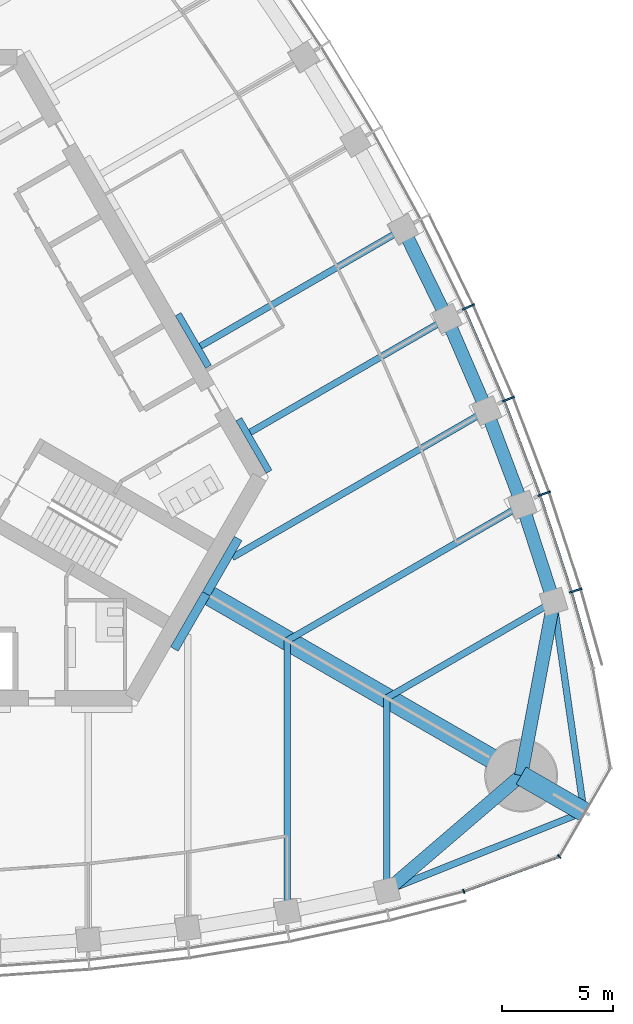
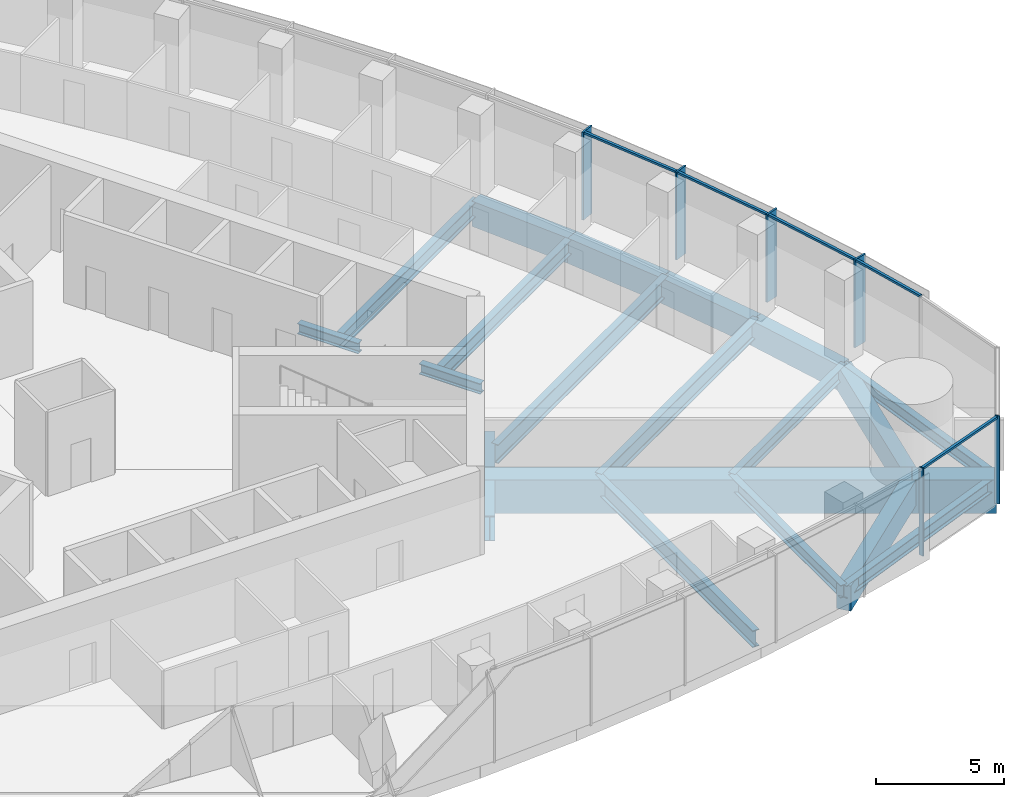
# One storey, part 4 of 20: 21 beams, 11 members, 2 elements without a shape of their own.
"""IFC4 building model written with IfcOpenShell, lengths in metres."""

from ifc_helpers import new_model, si_unit, direction, frame, origin, origin_2d, place, context, subcontext, project, spatial, rectangle, i_section, extrude, material, material_profile, profile_set, type_object, element, aggregate, save


model = new_model("IFC4")

# Units and contexts
model_context = context("Model", 3, precision=1e-05, world=origin(), true_north=direction((0.0, 1.0)))
body_context = subcontext(model_context, "Body", "Model", "MODEL_VIEW")
ifc_project = project(units=[si_unit("LENGTHUNIT", "METRE"), si_unit("AREAUNIT", "SQUARE_METRE"), si_unit("VOLUMEUNIT", "CUBIC_METRE"), si_unit("PLANEANGLEUNIT", "RADIAN"), si_unit("MASSUNIT", "GRAM", prefix="KILO")], contexts=[model_context])

# Site, building, storey
site_placement = place(None, origin())
site = spatial("IfcSite", under=ifc_project, at=site_placement, CompositionType="ELEMENT")
building_placement = place(site_placement, origin())
building = spatial("IfcBuilding", under=site, at=building_placement, Name="Trefoil Bronze Tower", CompositionType="ELEMENT")
storey_placement = place(building_placement, frame((0.0, 0.0, 231.699951171875)))
storey = spatial("IfcBuildingStorey", under=building, at=storey_placement, Name="L53", CompositionType="ELEMENT", Elevation=231.699951171875)

# Curtain wall, members
ifc_material_1 = material(Name="Tinted solar-control glass", Category="glass")
curtain_wall_type_1 = type_object("IfcCurtainWallType", Name="Bronze office curtain wall", PredefinedType="USERDEFINED", material=ifc_material_1)
curtain_wall_1_placement = place(storey_placement, origin())
curtain_wall_1 = element("IfcCurtainWall", 1, at=curtain_wall_1_placement, inside=storey, type_object=curtain_wall_type_1, Name="CW-A L53 F2", ObjectType="CURTAIN WALL", PredefinedType="USERDEFINED")
ifc_material_2 = material(Name="Bronze-finish aluminium", Category="aluminium")
ifc_material_profile_1 = material_profile(ifc_material_2, rectangle(XDim=0.60009765625, YDim=0.080078125, at=origin_2d()), Name="CW-A mullion")
ifc_profile_set_1 = profile_set([ifc_material_profile_1], Name="Bronze-finish aluminium")
member_type_1 = type_object("IfcMemberType", Name="Bronze office curtain wall mullion", PredefinedType="MULLION", material=ifc_profile_set_1)
member_1_placement = place(storey_placement, frame((31.05029296875, -8.132568359375, 0.0), z_axis=(0.0, 0.0, 1.0), x_axis=(-0.95694224323, -0.290278389002, 0.0)))
member_1 = element("IfcMember", 2, at=member_1_placement, type_object=member_type_1, Name="CW-A L53 F2 mullion 2", PredefinedType="MULLION", context=body_context, shape_type="SweptSolid", body=[
    extrude(rectangle(XDim=0.60009765625, YDim=0.080078125, at=origin_2d()), origin(), (0.0, 0.0, 1.0), 4.179931640625),
])
member_2_placement = place(storey_placement, frame((29.619873046875, -3.747314453125, 0.0), z_axis=(0.0, 0.0, 1.0), x_axis=(-0.943180077746, -0.332282020191, 0.0)))
member_2 = element("IfcMember", 3, at=member_2_placement, type_object=member_type_1, Name="CW-A L53 F2 mullion 3", PredefinedType="MULLION", context=body_context, shape_type="SweptSolid", body=[
    extrude(rectangle(XDim=0.60009765625, YDim=0.080078125, at=origin_2d()), origin(), (0.0, 0.0, 1.0), 4.179931640625),
])
member_3_placement = place(storey_placement, frame((27.999755859375, 0.529541015625, 0.0), z_axis=(0.0, 0.0, 1.0), x_axis=(-0.926689348282, -0.375828221106, 0.0)))
member_3 = element("IfcMember", 4, at=member_3_placement, type_object=member_type_1, Name="CW-A L53 F2 mullion 4", PredefinedType="MULLION", context=body_context, shape_type="SweptSolid", body=[
    extrude(rectangle(XDim=0.60009765625, YDim=0.080078125, at=origin_2d()), origin(), (0.0, 0.0, 1.0), 4.179931640625),
])
member_4_placement = place(storey_placement, frame((26.19482421875, 4.699462890625, 0.0), z_axis=(0.0, 0.0, 1.0), x_axis=(-0.908315380354, -0.418285990457, 0.0)))
member_4 = element("IfcMember", 5, at=member_4_placement, type_object=member_type_1, Name="CW-A L53 F2 mullion 5", PredefinedType="MULLION", context=body_context, shape_type="SweptSolid", body=[
    extrude(rectangle(XDim=0.60009765625, YDim=0.080078125, at=origin_2d()), origin(), (0.0, 0.0, 1.0), 4.179931640625),
])
ifc_material_3 = material(Name="Bronze-finish aluminium", Category="aluminium")
ifc_material_profile_2 = material_profile(ifc_material_3, rectangle(XDim=0.1201171875, YDim=0.10009765625, at=origin_2d()), Name="CW-A transom")
ifc_profile_set_2 = profile_set([ifc_material_profile_2], Name="Bronze-finish aluminium")
member_type_2 = type_object("IfcMemberType", Name="Bronze office curtain wall transom", PredefinedType="USERDEFINED", material=ifc_profile_set_2)
member_5_placement = place(storey_placement, frame((31.81201171875, -11.585205078125, 4.130126953125), z_axis=(-0.270284880437, 0.962780392097, 0.0), x_axis=(-0.962780392097, -0.270284880437, 0.0)))
member_5 = element("IfcMember", 6, at=member_5_placement, type_object=member_type_2, Name="CW-A L53 F2 transom 1", ObjectType="TRANSOM", PredefinedType="USERDEFINED", context=body_context, shape_type="SweptSolid", body=[
    extrude(rectangle(XDim=0.1201171875, YDim=0.10009765625, at=origin_2d()), origin(), (0.0, 0.0, 1.0), 3.48388671875),
])
member_6_placement = place(storey_placement, frame((30.845947265625, -8.150634765625, 4.130126953125), z_axis=(-0.310127806788, 0.950694874004, 0.0), x_axis=(-0.950694874004, -0.310127806788, 0.0)))
member_6 = element("IfcMember", 7, at=member_6_placement, type_object=member_type_2, Name="CW-A L53 F2 transom 2", ObjectType="TRANSOM", PredefinedType="USERDEFINED", context=body_context, shape_type="SweptSolid", body=[
    extrude(rectangle(XDim=0.1201171875, YDim=0.10009765625, at=origin_2d()), origin(), (0.0, 0.0, 1.0), 4.51953125),
])
member_7_placement = place(storey_placement, frame((29.416259765625, -3.774169921875, 4.130126953125), z_axis=(-0.354263170896, 0.935145767112, 0.0), x_axis=(-0.935145767112, -0.354263170896, 0.0)))
member_7 = element("IfcMember", 8, at=member_7_placement, type_object=member_type_2, Name="CW-A L53 F2 transom 3", ObjectType="TRANSOM", PredefinedType="USERDEFINED", context=body_context, shape_type="SweptSolid", body=[
    extrude(rectangle(XDim=0.1201171875, YDim=0.10009765625, at=origin_2d()), origin(), (0.0, 0.0, 1.0), 4.4794921875),
])
member_8_placement = place(storey_placement, frame((27.797607421875, 0.4931640625, 4.130126953125), z_axis=(-0.397220936772, 0.917723012346, 0.0), x_axis=(-0.917723012346, -0.397220936772, 0.0)))
member_8 = element("IfcMember", 9, at=member_8_placement, type_object=member_type_2, Name="CW-A L53 F2 transom 4", ObjectType="TRANSOM", PredefinedType="USERDEFINED", context=body_context, shape_type="SweptSolid", body=[
    extrude(rectangle(XDim=0.1201171875, YDim=0.10009765625, at=origin_2d()), origin(), (0.0, 0.0, 1.0), 4.449951171875),
])
aggregate(curtain_wall_1, [member_1, member_2, member_3, member_4, member_5, member_6, member_7, member_8])

ifc_material_4 = material(Name="Tinted solar-control glass", Category="glass")
curtain_wall_type_2 = type_object("IfcCurtainWallType", Name="Bronze rounded corner curtain wall", PredefinedType="USERDEFINED", material=ifc_material_4)
curtain_wall_2_placement = place(storey_placement, origin())
curtain_wall_2 = element("IfcCurtainWall", 10, at=curtain_wall_2_placement, inside=storey, type_object=curtain_wall_type_2, Name="CW-B L53 K1", ObjectType="CURTAIN WALL", PredefinedType="USERDEFINED")
ifc_material_5 = material(Name="Bronze-finish aluminium", Category="aluminium")
ifc_material_profile_3 = material_profile(ifc_material_5, rectangle(XDim=0.199951171875, YDim=0.06005859375, at=origin_2d()), Name="CW-B mullion")
ifc_profile_set_3 = profile_set([ifc_material_profile_3], Name="Bronze-finish aluminium")
member_type_3 = type_object("IfcMemberType", Name="Bronze rounded corner curtain wall mullion", PredefinedType="MULLION", material=ifc_profile_set_3)
member_9_placement = place(storey_placement, frame((25.9873046875, -21.74462890625, 0.0), z_axis=(0.0, 0.0, 1.0), x_axis=(-0.342020143326, 0.939692620786, 0.0)))
member_9 = element("IfcMember", 11, at=member_9_placement, type_object=member_type_3, Name="CW-B L53 K1 mullion 1", PredefinedType="MULLION", context=body_context, shape_type="SweptSolid", body=[
    extrude(rectangle(XDim=0.199951171875, YDim=0.06005859375, at=origin_2d()), origin(), (0.0, 0.0, 1.0), 4.179931640625),
])
member_10_placement = place(storey_placement, frame((30.302490234375, -20.16748046875, 0.0), z_axis=(0.0, 0.0, 1.0), x_axis=(-0.642787609687, 0.766044443119, 0.0)))
member_10 = element("IfcMember", 12, at=member_10_placement, type_object=member_type_3, Name="CW-B L53 K1 mullion 2", PredefinedType="MULLION", context=body_context, shape_type="SweptSolid", body=[
    extrude(rectangle(XDim=0.199951171875, YDim=0.06005859375, at=origin_2d()), origin(), (0.0, 0.0, 1.0), 4.179931640625),
])
ifc_material_6 = material(Name="Bronze-finish aluminium", Category="aluminium")
ifc_material_profile_4 = material_profile(ifc_material_6, rectangle(XDim=0.1201171875, YDim=0.10009765625, at=origin_2d()), Name="CW-B transom")
ifc_profile_set_4 = profile_set([ifc_material_profile_4], Name="Bronze-finish aluminium")
member_type_4 = type_object("IfcMemberType", Name="Bronze rounded corner curtain wall transom", PredefinedType="USERDEFINED", material=ifc_profile_set_4)
member_11_placement = place(storey_placement, frame((26.015380859375, -21.734375, 4.130126953125), z_axis=(0.939680910753, 0.342052314664, 0.0), x_axis=(-0.342052314664, 0.939680910753, 0.0)))
member_11 = element("IfcMember", 13, at=member_11_placement, type_object=member_type_4, Name="CW-B L53 K1 transom 1", ObjectType="TRANSOM", PredefinedType="USERDEFINED", context=body_context, shape_type="SweptSolid", body=[
    extrude(rectangle(XDim=0.1201171875, YDim=0.10009765625, at=origin_2d()), origin(), (0.0, 0.0, 1.0), 4.500244140625),
])
aggregate(curtain_wall_2, [member_9, member_10, member_11])

# Beams
ifc_material_7 = material(Name="Steel C355", Category="steel")
ifc_material_profile_5 = material_profile(ifc_material_7, i_section(OverallWidth=0.300048828125, OverallDepth=0.5, WebThickness=0.014404296875, FlangeThickness=0.028076171875, FilletRadius=0.027099609375, at=origin_2d()), Name="HEB 500")
ifc_profile_set_5 = profile_set([ifc_material_profile_5], Name="Steel C355")
beam_type_1 = type_object("IfcBeamType", Name="Core seat beam HEB 500", PredefinedType="BEAM", material=ifc_profile_set_5)
for number, where, z_axis, x_axis, name in (
    (14, (17.17626953125, -2.75, -0.449951171875), (-0.500035825175, 0.866004719122, 0.0), (-0.866004719122, -0.500035825175, 0.0), "Core seat beam F2/-2 L53"),
    (15, (14.433837890625, 2.0, -0.449951171875), (-0.500035825175, 0.866004719122, 0.0), (-0.866004719122, -0.500035825175, 0.0), "Core seat beam F2/-1 L53"),
):
    element("IfcBeam", number, at=place(storey_placement, frame(where, z_axis=z_axis, x_axis=x_axis)), inside=storey, type_object=beam_type_1, Name=name, PredefinedType="BEAM", context=body_context, shape_type="SweptSolid", body=[
        extrude(i_section(OverallWidth=0.300048828125, OverallDepth=0.5, WebThickness=0.014404296875, FlangeThickness=0.028076171875, FilletRadius=0.027099609375, at=origin_2d()), origin(), (0.0, 0.0, 1.0), 2.742431640625),
    ])
ifc_material_8 = material(Name="Steel C355", Category="steel")
ifc_material_profile_6 = material_profile(ifc_material_8, i_section(OverallWidth=0.39990234375, OverallDepth=1.199951171875, WebThickness=0.02001953125, FlangeThickness=0.0400390625, FilletRadius=0.010009765625, at=origin_2d()), Name="WPG 1200")
ifc_profile_set_6 = profile_set([ifc_material_profile_6], Name="Steel C355")
beam_type_2 = type_object("IfcBeamType", Name="Core seat beam WPG 1200", PredefinedType="BEAM", material=ifc_profile_set_6)
for number, where, z_axis, x_axis, name in (
    (16, (12.889404296875, -10.77490234375, -0.800048828125), (0.499995765644, 0.866027848477, 0.0), (-0.866027848477, 0.499995765644, 0.0), "Core seat beam F1/+3 L53"),
    (17, (14.332763671875, -8.27490234375, -0.800048828125), (0.499995765644, 0.866027848477, 0.0), (-0.866027848477, 0.499995765644, 0.0), "Core seat beam F2/-3 L53"),
):
    element("IfcBeam", number, at=place(storey_placement, frame(where, z_axis=z_axis, x_axis=x_axis)), inside=storey, type_object=beam_type_2, Name=name, PredefinedType="BEAM", context=body_context, shape_type="SweptSolid", body=[
        extrude(i_section(OverallWidth=0.39990234375, OverallDepth=1.199951171875, WebThickness=0.02001953125, FlangeThickness=0.0400390625, FilletRadius=0.010009765625, at=origin_2d()), origin(), (0.0, 0.0, 1.0), 2.88671875),
    ])
ifc_material_9 = material(Name="Concrete B80", Category="concrete")
ifc_material_profile_7 = material_profile(ifc_material_9, rectangle(XDim=0.89990234375, YDim=1.60009765625, at=origin_2d()), Name="RC 900x1600")
ifc_profile_set_7 = profile_set([ifc_material_profile_7], Name="Concrete B80")
beam_type_3 = type_object("IfcBeamType", Name="Corner cantilever RC 900x1600", PredefinedType="BEAM", material=ifc_profile_set_7)
beam_1_placement = place(storey_placement, frame((28.578857421875, -16.5, -1.0), z_axis=(0.866016004958, -0.500016278891, 0.0), x_axis=(0.500016278891, 0.866016004958, 0.0)))
element("IfcBeam", 18, at=beam_1_placement, inside=storey, type_object=beam_type_3, Name="Corner cantilever K1 L53", PredefinedType="BEAM", context=body_context, shape_type="SweptSolid", body=[
    extrude(rectangle(XDim=0.89990234375, YDim=1.60009765625, at=origin_2d()), origin(), (0.0, 0.0, 1.0), 3.28466796875),
])
ifc_material_10 = material(Name="Steel C355", Category="steel")
ifc_material_profile_8 = material_profile(ifc_material_10, i_section(OverallWidth=0.300048828125, OverallDepth=0.60009765625, WebThickness=0.015380859375, FlangeThickness=0.030029296875, FilletRadius=0.027099609375, at=origin_2d()), Name="HEB 600")
ifc_profile_set_8 = profile_set([ifc_material_profile_8], Name="Steel C355")
beam_type_4 = type_object("IfcBeamType", Name="Corner edge beam HEB 600", PredefinedType="BEAM", material=ifc_profile_set_8)
for number, where, z_axis, x_axis, name in (
    (19, (22.5, -21.71044921875, -0.5), (0.92852048463, 0.371281173266, 0.0), (-0.371281173266, 0.92852048463, 0.0), "Corner edge beam F1A L53"),
    (20, (30.052001953125, -8.63037109375, -0.5), (0.142694489722, -0.989766781925, 0.0), (0.989766781925, 0.142694489722, 0.0), "Corner edge beam F2B L53"),
):
    element("IfcBeam", number, at=place(storey_placement, frame(where, z_axis=z_axis, x_axis=x_axis)), inside=storey, type_object=beam_type_4, Name=name, PredefinedType="BEAM", context=body_context, shape_type="SweptSolid", body=[
        extrude(i_section(OverallWidth=0.300048828125, OverallDepth=0.60009765625, WebThickness=0.015380859375, FlangeThickness=0.030029296875, FilletRadius=0.027099609375, at=origin_2d()), origin(), (0.0, 0.0, 1.0), 9.6103515625),
    ])
ifc_material_11 = material(Name="Concrete B80", Category="concrete")
ifc_material_profile_9 = material_profile(ifc_material_11, rectangle(XDim=0.89990234375, YDim=1.60009765625, at=origin_2d()), Name="RC 900x1600")
ifc_profile_set_9 = profile_set([ifc_material_profile_9], Name="Concrete B80")
beam_type_5 = type_object("IfcBeamType", Name="Corner girder RC 900x1600", PredefinedType="BEAM", material=ifc_profile_set_9)
beam_2_placement = place(storey_placement, frame((14.159423828125, -8.175048828125, -1.0), z_axis=(0.866028334591, -0.49999492366, 0.0), x_axis=(0.49999492366, 0.866028334591, 0.0)))
element("IfcBeam", 21, at=beam_2_placement, inside=storey, type_object=beam_type_5, Name="Corner girder K1 L53", PredefinedType="BEAM", context=body_context, shape_type="SweptSolid", body=[
    extrude(rectangle(XDim=0.89990234375, YDim=1.60009765625, at=origin_2d()), origin(), (0.0, 0.0, 1.0), 16.650146484375),
])
ifc_material_12 = material(Name="Concrete B80", Category="concrete")
ifc_material_profile_10 = material_profile(ifc_material_12, rectangle(XDim=0.60009765625, YDim=1.199951171875, at=origin_2d()), Name="RC 600x1200")
ifc_profile_set_10 = profile_set([ifc_material_profile_10], Name="Concrete B80")
beam_type_6 = type_object("IfcBeamType", Name="End spandrel beam RC 600x1200", PredefinedType="SPANDREL", material=ifc_profile_set_10)
for number, where, z_axis, x_axis, name in (
    (22, (22.5, -21.71044921875, -0.800048828125), (0.759256602365, 0.650791373456, 0.0), (-0.650791373456, 0.759256602365, 0.0), "Spandrel F1.12 L53"),
    (23, (28.578857421875, -16.5, -0.800048828125), (0.18399763073, 0.982926686933, 0.0), (-0.982926686933, 0.18399763073, 0.0), "Spandrel F2.1 L53"),
):
    element("IfcBeam", number, at=place(storey_placement, frame(where, z_axis=z_axis, x_axis=x_axis)), inside=storey, type_object=beam_type_6, Name=name, PredefinedType="SPANDREL", context=body_context, shape_type="SweptSolid", body=[
        extrude(rectangle(XDim=0.60009765625, YDim=1.199951171875, at=origin_2d()), origin(), (0.0, 0.0, 1.0), 8.00634765625),
    ])
ifc_material_13 = material(Name="Steel C355", Category="steel")
ifc_material_profile_11 = material_profile(ifc_material_13, i_section(OverallWidth=0.300048828125, OverallDepth=0.590087890625, WebThickness=0.012939453125, FlangeThickness=0.02490234375, FilletRadius=0.027099609375, at=origin_2d()), Name="HEA 600")
ifc_profile_set_11 = profile_set([ifc_material_profile_11], Name="Steel C355")
beam_type_7 = type_object("IfcBeamType", Name="Floor beam HEA 600", PredefinedType="BEAM", material=ifc_profile_set_11)
beam_3_placement = place(storey_placement, frame((22.5, -21.71044921875, -0.494873046875), z_axis=(0.0, 1.0, 0.0), x_axis=(-1.0, 0.0, 0.0)))
element("IfcBeam", 24, at=beam_3_placement, inside=storey, type_object=beam_type_7, Name="Floor beam F1/+5 L53", PredefinedType="BEAM", context=body_context, shape_type="SweptSolid", body=[
    extrude(i_section(OverallWidth=0.300048828125, OverallDepth=0.590087890625, WebThickness=0.012939453125, FlangeThickness=0.02490234375, FilletRadius=0.027099609375, at=origin_2d()), origin(), (0.0, 0.0, 1.0), 8.719970703125),
])
beam_4_placement = place(storey_placement, frame((30.052001953125, -8.63037109375, -0.494873046875), z_axis=(-0.866027535932, -0.499996306993, 0.0), x_axis=(0.499996306993, -0.866027535932, 0.0)))
element("IfcBeam", 25, at=beam_4_placement, inside=storey, type_object=beam_type_7, Name="Floor beam F2/-5 L53", PredefinedType="BEAM", context=body_context, shape_type="SweptSolid", body=[
    extrude(i_section(OverallWidth=0.300048828125, OverallDepth=0.590087890625, WebThickness=0.012939453125, FlangeThickness=0.02490234375, FilletRadius=0.027099609375, at=origin_2d()), origin(), (0.0, 0.0, 1.0), 8.72021484375),
])
ifc_material_14 = material(Name="Steel C355", Category="steel")
ifc_material_profile_12 = material_profile(ifc_material_14, i_section(OverallWidth=0.300048828125, OverallDepth=0.699951171875, WebThickness=0.01708984375, FlangeThickness=0.031982421875, FilletRadius=0.027099609375, at=origin_2d()), Name="HEB 700")
ifc_profile_set_12 = profile_set([ifc_material_profile_12], Name="Steel C355")
beam_type_8 = type_object("IfcBeamType", Name="Floor beam HEB 700", PredefinedType="BEAM", material=ifc_profile_set_12)
beam_5_placement = place(storey_placement, frame((25.2265625, 4.17236328125, -0.550048828125), z_axis=(-0.866019527493, -0.500010177898, 0.0), x_axis=(0.500010177898, -0.866019527493, 0.0)))
element("IfcBeam", 26, at=beam_5_placement, inside=storey, type_object=beam_type_8, Name="Floor beam F2/-2 L53", PredefinedType="BEAM", context=body_context, shape_type="SweptSolid", body=[
    extrude(i_section(OverallWidth=0.300048828125, OverallDepth=0.699951171875, WebThickness=0.01708984375, FlangeThickness=0.031982421875, FilletRadius=0.027099609375, at=origin_2d()), origin(), (0.0, 0.0, 1.0), 10.282958984375),
])
beam_6_placement = place(storey_placement, frame((23.248046875, 8.22607421875, -0.550048828125), z_axis=(-0.86602981261, -0.499992363612, 0.0), x_axis=(0.499992363612, -0.86602981261, 0.0)))
element("IfcBeam", 27, at=beam_6_placement, inside=storey, type_object=beam_type_8, Name="Floor beam F2/-1 L53", PredefinedType="BEAM", context=body_context, shape_type="SweptSolid", body=[
    extrude(i_section(OverallWidth=0.300048828125, OverallDepth=0.699951171875, WebThickness=0.01708984375, FlangeThickness=0.031982421875, FilletRadius=0.027099609375, at=origin_2d()), origin(), (0.0, 0.0, 1.0), 10.596435546875),
])
ifc_material_15 = material(Name="Steel C355", Category="steel")
ifc_material_profile_13 = material_profile(ifc_material_15, i_section(OverallWidth=0.300048828125, OverallDepth=0.800048828125, WebThickness=0.017578125, FlangeThickness=0.032958984375, FilletRadius=0.030029296875, at=origin_2d()), Name="HEB 800")
ifc_profile_set_13 = profile_set([ifc_material_profile_13], Name="Steel C355")
beam_type_9 = type_object("IfcBeamType", Name="Floor beam HEB 800", PredefinedType="BEAM", material=ifc_profile_set_13)
beam_7_placement = place(storey_placement, frame((18.0, -22.6689453125, -0.599853515625), z_axis=(0.0, 1.0, 0.0), x_axis=(-1.0, 0.0, 0.0)))
element("IfcBeam", 28, at=beam_7_placement, inside=storey, type_object=beam_type_9, Name="Floor beam F1/+4 L53", PredefinedType="BEAM", context=body_context, shape_type="SweptSolid", body=[
    extrude(i_section(OverallWidth=0.300048828125, OverallDepth=0.800048828125, WebThickness=0.017578125, FlangeThickness=0.032958984375, FilletRadius=0.030029296875, at=origin_2d()), origin(), (0.0, 0.0, 1.0), 12.276611328125),
])
beam_8_placement = place(storey_placement, frame((28.632080078125, -4.25390625, -0.599853515625), z_axis=(-0.866025635187, -0.499999599199, 0.0), x_axis=(0.499999599199, -0.866025635187, 0.0)))
element("IfcBeam", 29, at=beam_8_placement, inside=storey, type_object=beam_type_9, Name="Floor beam F2/-4 L53", PredefinedType="BEAM", context=body_context, shape_type="SweptSolid", body=[
    extrude(i_section(OverallWidth=0.300048828125, OverallDepth=0.800048828125, WebThickness=0.017578125, FlangeThickness=0.032958984375, FilletRadius=0.030029296875, at=origin_2d()), origin(), (0.0, 0.0, 1.0), 12.27685546875),
])
ifc_material_16 = material(Name="Steel C355", Category="steel")
ifc_material_profile_14 = material_profile(ifc_material_16, i_section(OverallWidth=0.300048828125, OverallDepth=0.89990234375, WebThickness=0.0185546875, FlangeThickness=0.034912109375, FilletRadius=0.030029296875, at=origin_2d()), Name="HEB 900")
ifc_profile_set_14 = profile_set([ifc_material_profile_14], Name="Steel C355")
beam_type_10 = type_object("IfcBeamType", Name="Floor beam HEB 900", PredefinedType="BEAM", material=ifc_profile_set_14)
beam_9_placement = place(storey_placement, frame((27.022216796875, 0.012939453125, -0.64990234375), z_axis=(-0.866023461342, -0.500003364394, 0.0), x_axis=(0.500003364394, -0.866023461342, 0.0)))
element("IfcBeam", 30, at=beam_9_placement, inside=storey, type_object=beam_type_10, Name="Floor beam F2/-3 L53", PredefinedType="BEAM", context=body_context, shape_type="SweptSolid", body=[
    extrude(i_section(OverallWidth=0.300048828125, OverallDepth=0.89990234375, WebThickness=0.0185546875, FlangeThickness=0.034912109375, FilletRadius=0.030029296875, at=origin_2d()), origin(), (0.0, 0.0, 1.0), 13.291015625),
])
ifc_material_17 = material(Name="Concrete B80", Category="concrete")
ifc_material_profile_15 = material_profile(ifc_material_17, rectangle(XDim=0.60009765625, YDim=1.199951171875, at=origin_2d()), Name="RC 600x1200")
ifc_profile_set_15 = profile_set([ifc_material_profile_15], Name="Concrete B80")
beam_type_11 = type_object("IfcBeamType", Name="Spandrel beam RC 600x1200", PredefinedType="SPANDREL", material=ifc_profile_set_15)
beam_10_placement = place(storey_placement, frame((30.052001953125, -8.63037109375, -0.800048828125), z_axis=(-0.308608505504, 0.951189145402, 0.0), x_axis=(-0.951189145402, -0.308608505504, 0.0)))
element("IfcBeam", 31, at=beam_10_placement, inside=storey, type_object=beam_type_11, Name="Spandrel F2.2 L53", PredefinedType="SPANDREL", context=body_context, shape_type="SweptSolid", body=[
    extrude(rectangle(XDim=0.60009765625, YDim=1.199951171875, at=origin_2d()), origin(), (0.0, 0.0, 1.0), 4.60107421875),
])
beam_11_placement = place(storey_placement, frame((28.632080078125, -4.25390625, -0.800048828125), z_axis=(-0.353005969632, 0.935621069346, 0.0), x_axis=(-0.935621069346, -0.353005969632, 0.0)))
element("IfcBeam", 32, at=beam_11_placement, inside=storey, type_object=beam_type_11, Name="Spandrel F2.3 L53", PredefinedType="SPANDREL", context=body_context, shape_type="SweptSolid", body=[
    extrude(rectangle(XDim=0.60009765625, YDim=1.199951171875, at=origin_2d()), origin(), (0.0, 0.0, 1.0), 4.560546875),
])
beam_12_placement = place(storey_placement, frame((27.022216796875, 0.012939453125, -0.800048828125), z_axis=(-0.396350337164, 0.918099346602, 0.0), x_axis=(-0.918099346602, -0.396350337164, 0.0)))
element("IfcBeam", 33, at=beam_12_placement, inside=storey, type_object=beam_type_11, Name="Spandrel F2.4 L53", PredefinedType="SPANDREL", context=body_context, shape_type="SweptSolid", body=[
    extrude(rectangle(XDim=0.60009765625, YDim=1.199951171875, at=origin_2d()), origin(), (0.0, 0.0, 1.0), 4.530517578125),
])
beam_13_placement = place(storey_placement, frame((25.2265625, 4.17236328125, -0.800048828125), z_axis=(-0.438619830351, 0.898672712629, 0.0), x_axis=(-0.898672712629, -0.438619830351, 0.0)))
element("IfcBeam", 34, at=beam_13_placement, inside=storey, type_object=beam_type_11, Name="Spandrel F2.5 L53", PredefinedType="SPANDREL", context=body_context, shape_type="SweptSolid", body=[
    extrude(rectangle(XDim=0.60009765625, YDim=1.199951171875, at=origin_2d()), origin(), (0.0, 0.0, 1.0), 4.5107421875),
])

save(model, "model.ifc")
